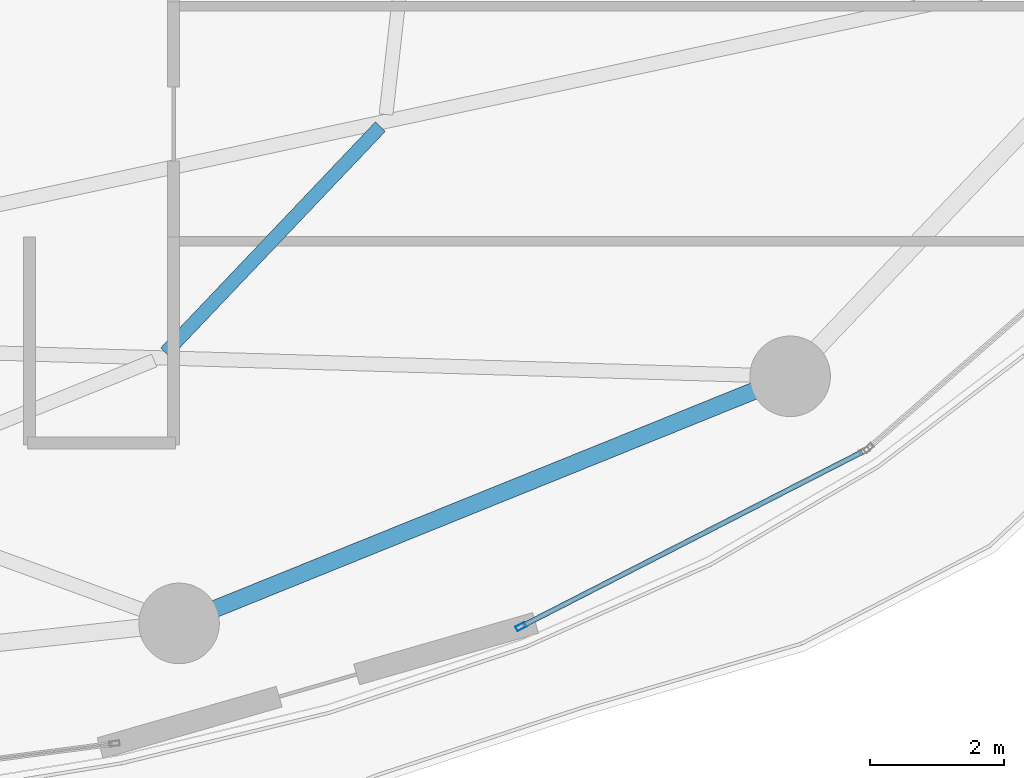
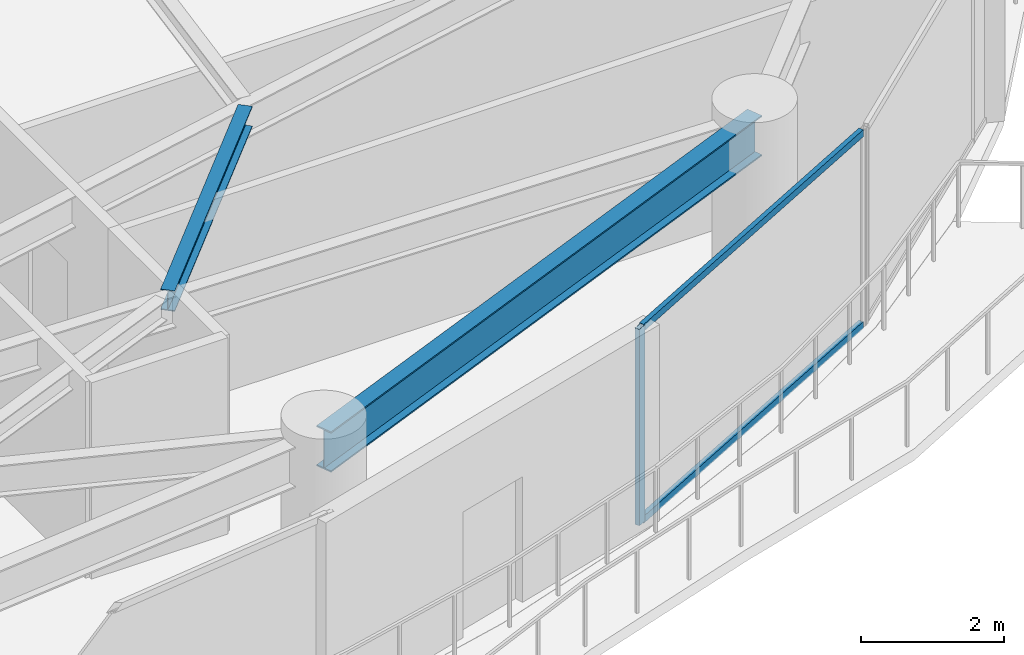
# One storey, part 11 of 28: 3 members, 2 beams, 1 element without a shape of its own.
"""IFC4 building model written with IfcOpenShell, lengths in metres."""

import ifcopenshell
import ifcopenshell.guid

model = None  # the IFC model being written
_history = None  # IfcOwnerHistory: only IFC2X3 demands one
_inside = {}  # id of a spatial element -> (the spatial element, [elements in it])
_under = {}  # id of a project, library or spatial element -> (it, [spatial elements below it])
_declared = {}  # id of a project -> (the project, [libraries it declares])
_typed = {}  # id of a type object -> (the type object, [elements of that type])
_made_of = {}  # id of a material, layer set ... -> (it, [elements and type objects made of it])


def new_model(schema):
    """Start an empty IFC model of exactly this schema.

    Asked for "IFC4X3", IfcOpenShell would pick the latest addendum, in which some entities
    have other attributes; the version numbers below select the first issue.
    IFC2X3 requires an IfcOwnerHistory on every rooted entity: one is made here for all.
    """
    global model, _history
    if schema == "IFC4X3":
        model = ifcopenshell.file(schema_version=(4, 3, 0, 0))
    else:
        model = ifcopenshell.file(schema=schema)
    _inside.clear()
    _under.clear()
    _declared.clear()
    _typed.clear()
    _made_of.clear()
    _history = None
    if model.schema == "IFC2X3":
        org = make("IfcOrganization", Name="unknown")
        user = make(
            "IfcPersonAndOrganization",
            ThePerson=make("IfcPerson", FamilyName="unknown"),
            TheOrganization=org,
        )
        app = make(
            "IfcApplication",
            ApplicationDeveloper=org,
            Version="unknown",
            ApplicationFullName="unknown",
            ApplicationIdentifier="unknown",
        )
        _history = make(
            "IfcOwnerHistory",
            OwningUser=user,
            OwningApplication=app,
            ChangeAction="ADDED",
            CreationDate=0,
        )
    return model


def make(cls, **values):
    """One entity of the class cls with the attributes given. An attribute that is None is left unset."""
    return model.create_entity(
        cls, **{name: value for name, value in values.items() if value is not None}
    )


def rooted(cls, **values):
    """An entity with a GlobalId (a new one), such as an element, a storey or a relation."""
    return make(cls, GlobalId=ifcopenshell.guid.new(), OwnerHistory=_history, **values)


def si_unit(unit_type, name, prefix=None):
    """IfcSIUnit, for example si_unit("LENGTHUNIT", "METRE", prefix="MILLI")."""
    return make("IfcSIUnit", UnitType=unit_type, Prefix=prefix, Name=name)


def assignment(units):
    """IfcUnitAssignment: the units of a project."""
    return None if units is None else make("IfcUnitAssignment", Units=units)


def point(xyz):
    """IfcCartesianPoint."""
    return None if xyz is None else make("IfcCartesianPoint", Coordinates=xyz)


def direction(xyz):
    """IfcDirection."""
    return None if xyz is None else make("IfcDirection", DirectionRatios=xyz)


def frame(location, z_axis=None, x_axis=None):
    """IfcAxis2Placement3D, a coordinate frame: its origin and axes. An axis left out is left unset."""
    return make(
        "IfcAxis2Placement3D",
        Location=point(location),
        Axis=direction(z_axis),
        RefDirection=direction(x_axis),
    )


def frame_2d(location, x_axis=None):
    """IfcAxis2Placement2D, a coordinate frame in the plane: its origin and x axis."""
    return make(
        "IfcAxis2Placement2D", Location=point(location), RefDirection=direction(x_axis)
    )


def origin():
    """The frame at (0, 0, 0) with its axes left unset."""
    return frame((0.0, 0.0, 0.0))


def origin_2d():
    """The frame at (0, 0) in the plane with its x axis left unset."""
    return frame_2d((0.0, 0.0))


def place(relative_to, where):
    """IfcLocalPlacement: puts the frame where relative to a parent placement (None: the world)."""
    return make(
        "IfcLocalPlacement", PlacementRelTo=relative_to, RelativePlacement=where
    )


def context(
    kind, dimensions, precision=None, world=None, true_north=None, identifier=None
):
    """IfcGeometricRepresentationContext, for example the 3D "Model" context."""
    return make(
        "IfcGeometricRepresentationContext",
        ContextIdentifier=identifier,
        ContextType=kind,
        CoordinateSpaceDimension=dimensions,
        Precision=precision,
        WorldCoordinateSystem=world,
        TrueNorth=true_north,
    )


def subcontext(parent, identifier, kind, view, scale=None):
    """IfcGeometricRepresentationSubContext, for example "Body" below "Model"."""
    return make(
        "IfcGeometricRepresentationSubContext",
        ContextIdentifier=identifier,
        ContextType=kind,
        ParentContext=parent,
        TargetScale=scale,
        TargetView=view,
    )


def project(units=None, contexts=None):
    """IfcProject with its units and contexts."""
    return rooted(
        "IfcProject",
        Name="project",
        RepresentationContexts=contexts,
        UnitsInContext=assignment(units),
    )


def spatial(cls, under=None, at=None, **own):
    """A site, building, storey or space (cls), placed at a placement, below another one or the project."""
    s = rooted(cls, ObjectPlacement=at, **own)
    if under is not None:
        _under.setdefault(under.id(), (under, []))[1].append(s)
    return s


def profile(cls, at=None, kind="AREA", **sizes):
    """A parametric profile (cls). Its sizes go by their IFC names, for example OverallWidth=200.0."""
    return make(cls, ProfileType=kind, Position=at, **sizes)


def hollow_rectangle(**sizes):
    """IfcRectangleHollowProfileDef."""
    return profile("IfcRectangleHollowProfileDef", **sizes)


def i_section(**sizes):
    """IfcIShapeProfileDef."""
    return profile("IfcIShapeProfileDef", **sizes)


def extrude(swept, where, along, depth):
    """IfcExtrudedAreaSolid: the profile swept, set in the frame where, extruded along a direction by depth."""
    return make(
        "IfcExtrudedAreaSolid",
        SweptArea=swept,
        Position=where,
        ExtrudedDirection=direction(along),
        Depth=depth,
    )


def shape(context_of_items, identifier, shape_type, items):
    """IfcShapeRepresentation: the items that make up one representation, for example the "Body"."""
    return make(
        "IfcShapeRepresentation",
        ContextOfItems=context_of_items,
        RepresentationIdentifier=identifier,
        RepresentationType=shape_type,
        Items=items,
    )


def material(Name=None, Category=None):
    """IfcMaterial."""
    return make("IfcMaterial", Name=Name, Category=Category)


def layer(
    of_material, thickness, ventilated=None, Name=None, Category=None, Priority=None
):
    """IfcMaterialLayer: one layer of a wall or slab, of a material (None: an air gap)."""
    return make(
        "IfcMaterialLayer",
        Material=of_material,
        LayerThickness=thickness,
        IsVentilated=ventilated,
        Name=Name,
        Category=Category,
        Priority=Priority,
    )


def layer_set(layers, Name=None):
    """IfcMaterialLayerSet."""
    return make("IfcMaterialLayerSet", MaterialLayers=layers, LayerSetName=Name)


def material_profile(
    of_material, cross_section, Name=None, Category=None, Priority=None
):
    """IfcMaterialProfile: a cross section and its material."""
    return make(
        "IfcMaterialProfile",
        Name=Name,
        Material=of_material,
        Profile=cross_section,
        Priority=Priority,
        Category=Category,
    )


def profile_set(profiles, Name=None, composite=None):
    """IfcMaterialProfileSet."""
    return make(
        "IfcMaterialProfileSet",
        Name=Name,
        MaterialProfiles=profiles,
        CompositeProfile=composite,
    )


def made_of(thing, what):
    """Note that an element or type object is made of a material, layer set ...; save() writes the relation."""
    if what is not None:
        _made_of.setdefault(what.id(), (what, []))[1].append(thing)
    return thing


def type_object(cls, material=None, **own):
    """A type object (cls), such as IfcWallType, which elements share."""
    return made_of(rooted(cls, **own), material)


def element(
    cls,
    number,
    at=None,
    inside=None,
    cuts=None,
    type_object=None,
    material=None,
    context=None,
    identifier="Body",
    shape_type=None,
    held_by="IfcProductDefinitionShape",
    body=None,
    shapes=None,
    **own,
):
    """One element of the class cls, such as IfcWall. Its Tag is "e" and its number.

    at: its placement. inside: the storey or other place that contains it. cuts: it is an
    opening in that element (IfcRelVoidsElement). A single representation is given by context,
    identifier, shape_type and body (its items); several are given by shapes. held_by: the class
    of the entity that holds the representations. save() writes the other relations.
    """
    e = rooted(cls, Tag="e%d" % number, ObjectPlacement=at, **own)
    if body is not None:
        shapes = [shape(context, identifier, shape_type, body)]
    if shapes is not None:
        e.Representation = make(held_by, Representations=shapes)
    if inside is not None:
        _inside.setdefault(inside.id(), (inside, []))[1].append(e)
    if cuts is not None:
        rooted(
            "IfcRelVoidsElement", RelatingBuildingElement=cuts, RelatedOpeningElement=e
        )
    if type_object is not None:
        _typed.setdefault(type_object.id(), (type_object, []))[1].append(e)
    return made_of(e, material)


def aggregate(whole, parts):
    """IfcRelAggregates: a whole, such as a stair, and the parts it consists of."""
    return rooted("IfcRelAggregates", RelatingObject=whole, RelatedObjects=parts)


def save(model, path):
    """Write the relations noted so far, then the file.

    IfcRelAggregates (storeys below a building ...), IfcRelContainedInSpatialStructure (elements
    in a storey), IfcRelDefinesByType, IfcRelAssociatesMaterial and IfcRelDeclares: one each for
    every whole, place, type object, material and project.
    """
    for whole, parts in _under.values():
        aggregate(whole, parts)
    for where, things in _inside.values():
        rooted(
            "IfcRelContainedInSpatialStructure",
            RelatedElements=things,
            RelatingStructure=where,
        )
    for kind, things in _typed.values():
        rooted("IfcRelDefinesByType", RelatedObjects=things, RelatingType=kind)
    for what, things in _made_of.values():
        rooted("IfcRelAssociatesMaterial", RelatedObjects=things, RelatingMaterial=what)
    for by, libraries in _declared.values():
        rooted("IfcRelDeclares", RelatingContext=by, RelatedDefinitions=libraries)
    model.write(path)


model = new_model("IFC4")

# Units and contexts
model_context = context("Model", 3, precision=1e-05, world=origin(), true_north=direction((0.0, 1.0)))
body_context = subcontext(model_context, "Body", "Model", "MODEL_VIEW")
ifc_project = project(units=[si_unit("LENGTHUNIT", "METRE"), si_unit("AREAUNIT", "SQUARE_METRE"), si_unit("VOLUMEUNIT", "CUBIC_METRE"), si_unit("PLANEANGLEUNIT", "RADIAN"), si_unit("MASSUNIT", "GRAM", prefix="KILO")], contexts=[model_context])

# Site, building, storey
site_placement = place(None, origin())
site = spatial("IfcSite", under=ifc_project, at=site_placement, CompositionType="ELEMENT")
building_placement = place(site_placement, origin())
building = spatial("IfcBuilding", under=site, at=building_placement, Name="Kazevale Care Tower and Concert Hall", CompositionType="ELEMENT")
storey_placement = place(building_placement, frame((0.0, 0.0, 109.800048828125)))
storey = spatial("IfcBuildingStorey", under=building, at=storey_placement, Name="L28", CompositionType="ELEMENT", Elevation=109.800048828125)

# Curtain wall, members
ifc_material_1 = material(Name="Aluminium 6063-T6 and Low-E Glass", Category="aluminium")
ifc_layer = layer(ifc_material_1, 0.179931640625)
ifc_layer_set = layer_set([ifc_layer], Name="Aluminium 6063-T6 and Low-E Glass")
curtain_wall_type = type_object("IfcCurtainWallType", Name="Sheltered Concave Balcony Curtain Wall CW-5", PredefinedType="NOTDEFINED", material=ifc_layer_set)
curtain_wall_placement = place(storey_placement, origin())
curtain_wall = element("IfcCurtainWall", 1, at=curtain_wall_placement, inside=storey, type_object=curtain_wall_type, Name="cw:L28:f03", PredefinedType="NOTDEFINED")
ifc_material_2 = material(Name="Aluminium 6063-T6", Category="aluminium")
ifc_material_profile_1 = material_profile(ifc_material_2, hollow_rectangle(XDim=0.074951171875, YDim=0.14990234375, WallThickness=0.00390625, at=origin_2d()), Name="ALU75x150x4")
ifc_profile_set_1 = profile_set([ifc_material_profile_1], Name="Aluminium 6063-T6")
member_type_1 = type_object("IfcMemberType", Name="CW-5 Mullion ALU75x150x4", PredefinedType="MULLION", material=ifc_profile_set_1)
member_1_placement = place(storey_placement, frame((60.822265625, 19.26220703125, 0.0), z_axis=(0.0, 0.0, 1.0), x_axis=(0.455713236575, -0.890126646051, 0.0)))
member_1 = element("IfcMember", 2, at=member_1_placement, type_object=member_type_1, Name="CW-5 mullion 2", PredefinedType="MULLION", context=body_context, shape_type="SweptSolid", body=[
    extrude(hollow_rectangle(XDim=0.074951171875, YDim=0.14990234375, WallThickness=0.00390625, at=origin_2d()), origin(), (0.0, 0.0, 1.0), 3.35986328125),
])
ifc_material_profile_2 = material_profile(ifc_material_2, hollow_rectangle(XDim=0.074951171875, YDim=0.1201171875, WallThickness=0.00390625, at=origin_2d()), Name="ALU75x120x4")
ifc_profile_set_2 = profile_set([ifc_material_profile_2], Name="Aluminium 6063-T6")
member_type_2 = type_object("IfcMemberType", Name="CW-5 Transom ALU75x120x4", PredefinedType="USERDEFINED", material=ifc_profile_set_2)
member_2_placement = place(storey_placement, frame((65.904296875, 21.86376953125, 0.037353515625), z_axis=(-0.890142600475, -0.455682072084, 0.0), x_axis=(0.455682072084, -0.890142600475, 0.0)))
member_2 = element("IfcMember", 3, at=member_2_placement, type_object=member_type_2, Name="CW-5 transom 1.1", ObjectType="TRANSOM", PredefinedType="USERDEFINED", context=body_context, shape_type="SweptSolid", body=[
    extrude(hollow_rectangle(XDim=0.074951171875, YDim=0.1201171875, WallThickness=0.00390625, at=origin_2d()), origin(), (0.0, 0.0, 1.0), 5.671630859375),
])
member_3_placement = place(storey_placement, frame((65.904296875, 21.86376953125, 3.322509765625), z_axis=(-0.890142600475, -0.455682072084, 0.0), x_axis=(0.455682072084, -0.890142600475, 0.0)))
member_3 = element("IfcMember", 4, at=member_3_placement, type_object=member_type_2, Name="CW-5 transom 1.2", ObjectType="TRANSOM", PredefinedType="USERDEFINED", context=body_context, shape_type="SweptSolid", body=[
    extrude(hollow_rectangle(XDim=0.074951171875, YDim=0.1201171875, WallThickness=0.00390625, at=origin_2d()), origin(), (0.0, 0.0, 1.0), 5.671630859375),
])
aggregate(curtain_wall, [member_1, member_2, member_3])

# Beams
ifc_material_3 = material(Name="Steel ASTM A572 Gr 50", Category="steel")
ifc_material_profile_3 = material_profile(ifc_material_3, i_section(OverallWidth=0.205078125, OverallDepth=0.35400390625, WebThickness=0.009521484375, FlangeThickness=0.016845703125, at=origin_2d()), Name="W360x79")
ifc_profile_set_3 = profile_set([ifc_material_profile_3], Name="Steel ASTM A572 Gr 50")
beam_type_1 = type_object("IfcBeamType", Name="Secondary Floor Joist W360x79", PredefinedType="JOIST", material=ifc_profile_set_3)
beam_1_placement = place(storey_placement, frame((55.529052734375, 23.341064453125, 3.182861328125), z_axis=(0.688792288395, 0.724958746032, 0.0), x_axis=(-0.724958746032, 0.688792288395, 0.0)))
element("IfcBeam", 5, at=beam_1_placement, inside=storey, type_object=beam_type_1, Name="beam:L28:joist:15", PredefinedType="JOIST", context=body_context, shape_type="SweptSolid", body=[
    extrude(i_section(OverallWidth=0.205078125, OverallDepth=0.35400390625, WebThickness=0.009521484375, FlangeThickness=0.016845703125, at=origin_2d()), origin(), (0.0, 0.0, 1.0), 4.644287109375),
])
ifc_material_profile_4 = material_profile(ifc_material_3, i_section(OverallWidth=0.256103515625, OverallDepth=0.693115234375, WebThickness=0.014404296875, FlangeThickness=0.023681640625, at=origin_2d()), Name="W690x170")
ifc_profile_set_4 = profile_set([ifc_material_profile_4], Name="Steel ASTM A572 Gr 50")
beam_type_2 = type_object("IfcBeamType", Name="Waist Ring Beam W690x170", PredefinedType="BEAM", material=ifc_profile_set_4)
beam_2_placement = place(storey_placement, frame((55.72998046875, 19.31005859375, 3.013427734375), z_axis=(0.927068687828, 0.374891515041, 0.0), x_axis=(-0.374891515041, 0.927068687828, 0.0)))
element("IfcBeam", 6, at=beam_2_placement, inside=storey, type_object=beam_type_2, Name="beam:L28:ring:14", PredefinedType="BEAM", context=body_context, shape_type="SweptSolid", body=[
    extrude(i_section(OverallWidth=0.256103515625, OverallDepth=0.693115234375, WebThickness=0.014404296875, FlangeThickness=0.023681640625, at=origin_2d()), origin(), (0.0, 0.0, 1.0), 9.81591796875),
])

save(model, "model.ifc")
